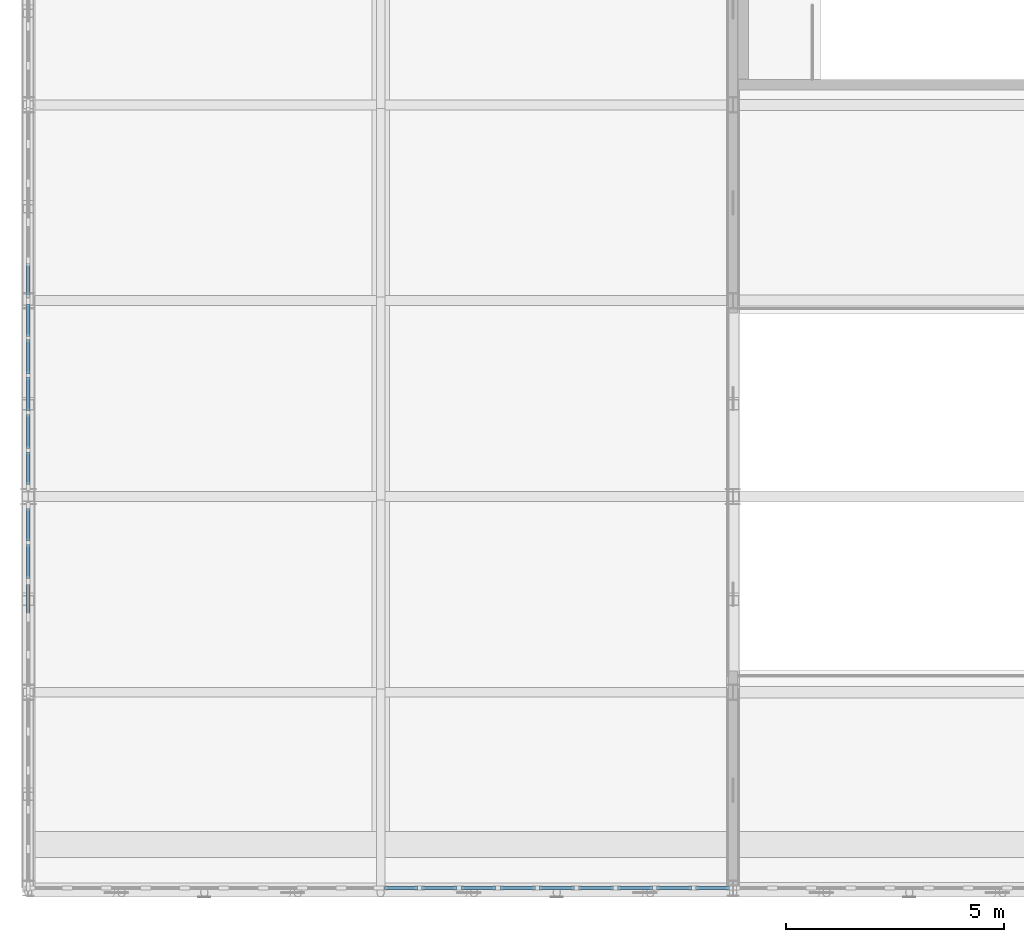
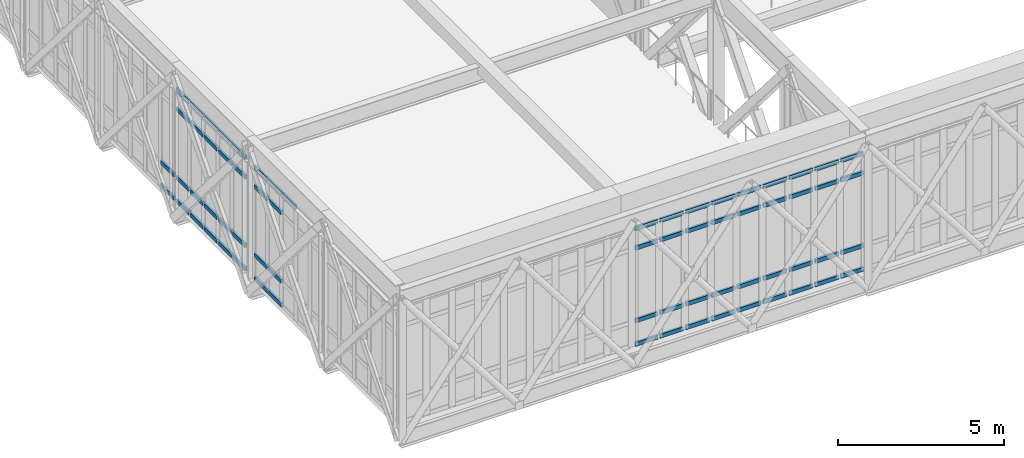
# One storey, part 28 of 70: 67 members, 4 elements without a shape of their own.
"""IFC4 building model written with IfcOpenShell, lengths in metres."""

import ifcopenshell
import ifcopenshell.guid

model = None  # the IFC model being written
_history = None  # IfcOwnerHistory: only IFC2X3 demands one
_inside = {}  # id of a spatial element -> (the spatial element, [elements in it])
_under = {}  # id of a project, library or spatial element -> (it, [spatial elements below it])
_declared = {}  # id of a project -> (the project, [libraries it declares])
_typed = {}  # id of a type object -> (the type object, [elements of that type])
_made_of = {}  # id of a material, layer set ... -> (it, [elements and type objects made of it])


def new_model(schema):
    """Start an empty IFC model of exactly this schema.

    Asked for "IFC4X3", IfcOpenShell would pick the latest addendum, in which some entities
    have other attributes; the version numbers below select the first issue.
    IFC2X3 requires an IfcOwnerHistory on every rooted entity: one is made here for all.
    """
    global model, _history
    if schema == "IFC4X3":
        model = ifcopenshell.file(schema_version=(4, 3, 0, 0))
    else:
        model = ifcopenshell.file(schema=schema)
    _inside.clear()
    _under.clear()
    _declared.clear()
    _typed.clear()
    _made_of.clear()
    _history = None
    if model.schema == "IFC2X3":
        org = make("IfcOrganization", Name="unknown")
        user = make(
            "IfcPersonAndOrganization",
            ThePerson=make("IfcPerson", FamilyName="unknown"),
            TheOrganization=org,
        )
        app = make(
            "IfcApplication",
            ApplicationDeveloper=org,
            Version="unknown",
            ApplicationFullName="unknown",
            ApplicationIdentifier="unknown",
        )
        _history = make(
            "IfcOwnerHistory",
            OwningUser=user,
            OwningApplication=app,
            ChangeAction="ADDED",
            CreationDate=0,
        )
    return model


def make(cls, **values):
    """One entity of the class cls with the attributes given. An attribute that is None is left unset."""
    return model.create_entity(
        cls, **{name: value for name, value in values.items() if value is not None}
    )


def rooted(cls, **values):
    """An entity with a GlobalId (a new one), such as an element, a storey or a relation."""
    return make(cls, GlobalId=ifcopenshell.guid.new(), OwnerHistory=_history, **values)


def si_unit(unit_type, name, prefix=None):
    """IfcSIUnit, for example si_unit("LENGTHUNIT", "METRE", prefix="MILLI")."""
    return make("IfcSIUnit", UnitType=unit_type, Prefix=prefix, Name=name)


def assignment(units):
    """IfcUnitAssignment: the units of a project."""
    return None if units is None else make("IfcUnitAssignment", Units=units)


def point(xyz):
    """IfcCartesianPoint."""
    return None if xyz is None else make("IfcCartesianPoint", Coordinates=xyz)


def direction(xyz):
    """IfcDirection."""
    return None if xyz is None else make("IfcDirection", DirectionRatios=xyz)


def frame(location, z_axis=None, x_axis=None):
    """IfcAxis2Placement3D, a coordinate frame: its origin and axes. An axis left out is left unset."""
    return make(
        "IfcAxis2Placement3D",
        Location=point(location),
        Axis=direction(z_axis),
        RefDirection=direction(x_axis),
    )


def frame_2d(location, x_axis=None):
    """IfcAxis2Placement2D, a coordinate frame in the plane: its origin and x axis."""
    return make(
        "IfcAxis2Placement2D", Location=point(location), RefDirection=direction(x_axis)
    )


def origin():
    """The frame at (0, 0, 0) with its axes left unset."""
    return frame((0.0, 0.0, 0.0))


def origin_2d():
    """The frame at (0, 0) in the plane with its x axis left unset."""
    return frame_2d((0.0, 0.0))


def place(relative_to, where):
    """IfcLocalPlacement: puts the frame where relative to a parent placement (None: the world)."""
    return make(
        "IfcLocalPlacement", PlacementRelTo=relative_to, RelativePlacement=where
    )


def context(
    kind, dimensions, precision=None, world=None, true_north=None, identifier=None
):
    """IfcGeometricRepresentationContext, for example the 3D "Model" context."""
    return make(
        "IfcGeometricRepresentationContext",
        ContextIdentifier=identifier,
        ContextType=kind,
        CoordinateSpaceDimension=dimensions,
        Precision=precision,
        WorldCoordinateSystem=world,
        TrueNorth=true_north,
    )


def subcontext(parent, identifier, kind, view, scale=None):
    """IfcGeometricRepresentationSubContext, for example "Body" below "Model"."""
    return make(
        "IfcGeometricRepresentationSubContext",
        ContextIdentifier=identifier,
        ContextType=kind,
        ParentContext=parent,
        TargetScale=scale,
        TargetView=view,
    )


def project(units=None, contexts=None):
    """IfcProject with its units and contexts."""
    return rooted(
        "IfcProject",
        Name="project",
        RepresentationContexts=contexts,
        UnitsInContext=assignment(units),
    )


def spatial(cls, under=None, at=None, **own):
    """A site, building, storey or space (cls), placed at a placement, below another one or the project."""
    s = rooted(cls, ObjectPlacement=at, **own)
    if under is not None:
        _under.setdefault(under.id(), (under, []))[1].append(s)
    return s


def profile(cls, at=None, kind="AREA", **sizes):
    """A parametric profile (cls). Its sizes go by their IFC names, for example OverallWidth=200.0."""
    return make(cls, ProfileType=kind, Position=at, **sizes)


def rectangle(**sizes):
    """IfcRectangleProfileDef."""
    return profile("IfcRectangleProfileDef", **sizes)


def extrude(swept, where, along, depth):
    """IfcExtrudedAreaSolid: the profile swept, set in the frame where, extruded along a direction by depth."""
    return make(
        "IfcExtrudedAreaSolid",
        SweptArea=swept,
        Position=where,
        ExtrudedDirection=direction(along),
        Depth=depth,
    )


def shape(context_of_items, identifier, shape_type, items):
    """IfcShapeRepresentation: the items that make up one representation, for example the "Body"."""
    return make(
        "IfcShapeRepresentation",
        ContextOfItems=context_of_items,
        RepresentationIdentifier=identifier,
        RepresentationType=shape_type,
        Items=items,
    )


def material(Name=None, Category=None):
    """IfcMaterial."""
    return make("IfcMaterial", Name=Name, Category=Category)


def material_profile(
    of_material, cross_section, Name=None, Category=None, Priority=None
):
    """IfcMaterialProfile: a cross section and its material."""
    return make(
        "IfcMaterialProfile",
        Name=Name,
        Material=of_material,
        Profile=cross_section,
        Priority=Priority,
        Category=Category,
    )


def profile_set(profiles, Name=None, composite=None):
    """IfcMaterialProfileSet."""
    return make(
        "IfcMaterialProfileSet",
        Name=Name,
        MaterialProfiles=profiles,
        CompositeProfile=composite,
    )


def made_of(thing, what):
    """Note that an element or type object is made of a material, layer set ...; save() writes the relation."""
    if what is not None:
        _made_of.setdefault(what.id(), (what, []))[1].append(thing)
    return thing


def type_object(cls, material=None, **own):
    """A type object (cls), such as IfcWallType, which elements share."""
    return made_of(rooted(cls, **own), material)


def element(
    cls,
    number,
    at=None,
    inside=None,
    cuts=None,
    type_object=None,
    material=None,
    context=None,
    identifier="Body",
    shape_type=None,
    held_by="IfcProductDefinitionShape",
    body=None,
    shapes=None,
    **own,
):
    """One element of the class cls, such as IfcWall. Its Tag is "e" and its number.

    at: its placement. inside: the storey or other place that contains it. cuts: it is an
    opening in that element (IfcRelVoidsElement). A single representation is given by context,
    identifier, shape_type and body (its items); several are given by shapes. held_by: the class
    of the entity that holds the representations. save() writes the other relations.
    """
    e = rooted(cls, Tag="e%d" % number, ObjectPlacement=at, **own)
    if body is not None:
        shapes = [shape(context, identifier, shape_type, body)]
    if shapes is not None:
        e.Representation = make(held_by, Representations=shapes)
    if inside is not None:
        _inside.setdefault(inside.id(), (inside, []))[1].append(e)
    if cuts is not None:
        rooted(
            "IfcRelVoidsElement", RelatingBuildingElement=cuts, RelatedOpeningElement=e
        )
    if type_object is not None:
        _typed.setdefault(type_object.id(), (type_object, []))[1].append(e)
    return made_of(e, material)


def aggregate(whole, parts):
    """IfcRelAggregates: a whole, such as a stair, and the parts it consists of."""
    return rooted("IfcRelAggregates", RelatingObject=whole, RelatedObjects=parts)


def save(model, path):
    """Write the relations noted so far, then the file.

    IfcRelAggregates (storeys below a building ...), IfcRelContainedInSpatialStructure (elements
    in a storey), IfcRelDefinesByType, IfcRelAssociatesMaterial and IfcRelDeclares: one each for
    every whole, place, type object, material and project.
    """
    for whole, parts in _under.values():
        aggregate(whole, parts)
    for where, things in _inside.values():
        rooted(
            "IfcRelContainedInSpatialStructure",
            RelatedElements=things,
            RelatingStructure=where,
        )
    for kind, things in _typed.values():
        rooted("IfcRelDefinesByType", RelatedObjects=things, RelatingType=kind)
    for what, things in _made_of.values():
        rooted("IfcRelAssociatesMaterial", RelatedObjects=things, RelatingMaterial=what)
    for by, libraries in _declared.values():
        rooted("IfcRelDeclares", RelatingContext=by, RelatedDefinitions=libraries)
    model.write(path)


model = new_model("IFC4")

# Units and contexts
model_context = context("Model", 3, precision=1e-05, world=origin(), true_north=direction((0.0, 1.0)))
body_context = subcontext(model_context, "Body", "Model", "MODEL_VIEW")
ifc_project = project(units=[si_unit("LENGTHUNIT", "METRE"), si_unit("AREAUNIT", "SQUARE_METRE"), si_unit("VOLUMEUNIT", "CUBIC_METRE"), si_unit("PLANEANGLEUNIT", "RADIAN"), si_unit("MASSUNIT", "GRAM", prefix="KILO")], contexts=[model_context])

# Site, building, storey
site_placement = place(None, origin())
site = spatial("IfcSite", under=ifc_project, at=site_placement, CompositionType="ELEMENT")
building_placement = place(site_placement, origin())
building = spatial("IfcBuilding", under=site, at=building_placement, Name="Tarnveldt Square Police Headquarters", CompositionType="ELEMENT")
storey_placement = place(building_placement, frame((0.0, 0.0, 19.800048828125)))
storey = spatial("IfcBuildingStorey", under=building, at=storey_placement, Name="L04", CompositionType="ELEMENT", Elevation=19.800048828125)

# Curtain wall, members
ifc_material_1 = material(Name="UL 752 Level III laminated ballistic vision glass", Category="glass")
curtain_wall_type_1 = type_object("IfcCurtainWallType", Name="CW-BL-810x433", PredefinedType="USERDEFINED", material=ifc_material_1)
curtain_wall_1_placement = place(storey_placement, origin())
curtain_wall_1 = element("IfcCurtainWall", 1, at=curtain_wall_1_placement, inside=storey, type_object=curtain_wall_type_1, Name="L04 Curtain Wall CW-L04-041", ObjectType="BALLISTIC CURTAIN WALL", PredefinedType="USERDEFINED")
ifc_material_2 = material(Name="Thermally broken anodised aluminium 6063-T6", Category="aluminium")
ifc_material_profile = material_profile(ifc_material_2, rectangle(XDim=0.074951171875, YDim=0.14990234375, at=origin_2d()), Name="CW-T75x150")
ifc_profile_set = profile_set([ifc_material_profile], Name="Thermally broken anodised aluminium 6063-T6")
member_type = type_object("IfcMemberType", Name="CWT-75x150", PredefinedType="USERDEFINED", material=ifc_profile_set)
member_1_placement = place(storey_placement, frame((16.284912109375, 7.0, 0.037353515625), z_axis=(1.0, 0.0, 0.0), x_axis=(0.0, 1.0, 0.0)))
member_1 = element("IfcMember", 2, at=member_1_placement, type_object=member_type, Name="CW-BL17 transom 1.1", ObjectType="TRANSOM", PredefinedType="USERDEFINED", context=body_context, shape_type="SweptSolid", body=[
    extrude(rectangle(XDim=0.074951171875, YDim=0.14990234375, at=origin_2d()), origin(), (0.0, 0.0, 1.0), 0.772705078125),
])
member_2_placement = place(storey_placement, frame((16.284912109375, 7.0, 0.89990234375), z_axis=(1.0, 0.0, 0.0), x_axis=(0.0, 1.0, 0.0)))
member_2 = element("IfcMember", 3, at=member_2_placement, type_object=member_type, Name="CW-BL17 transom 1.2", ObjectType="TRANSOM", PredefinedType="USERDEFINED", context=body_context, shape_type="SweptSolid", body=[
    extrude(rectangle(XDim=0.074951171875, YDim=0.14990234375, at=origin_2d()), origin(), (0.0, 0.0, 1.0), 0.772705078125),
])
member_3_placement = place(storey_placement, frame((16.284912109375, 7.0, 3.576416015625), z_axis=(1.0, 0.0, 0.0), x_axis=(0.0, 1.0, 0.0)))
member_3 = element("IfcMember", 4, at=member_3_placement, type_object=member_type, Name="CW-BL17 transom 1.3", ObjectType="TRANSOM", PredefinedType="USERDEFINED", context=body_context, shape_type="SweptSolid", body=[
    extrude(rectangle(XDim=0.074951171875, YDim=0.14990234375, at=origin_2d()), origin(), (0.0, 0.0, 1.0), 0.772705078125),
])
member_4_placement = place(storey_placement, frame((16.284912109375, 7.0, 4.2890625), z_axis=(1.0, 0.0, 0.0), x_axis=(0.0, 1.0, 0.0)))
member_4 = element("IfcMember", 5, at=member_4_placement, type_object=member_type, Name="CW-BL17 transom 1.4", ObjectType="TRANSOM", PredefinedType="USERDEFINED", context=body_context, shape_type="SweptSolid", body=[
    extrude(rectangle(XDim=0.074951171875, YDim=0.14990234375, at=origin_2d()), origin(), (0.0, 0.0, 1.0), 0.772705078125),
])
member_5_placement = place(storey_placement, frame((17.142578125, 7.0, 0.037353515625), z_axis=(1.0, 0.0, 0.0), x_axis=(0.0, 1.0, 0.0)))
member_5 = element("IfcMember", 6, at=member_5_placement, type_object=member_type, Name="CW-BL17 transom 2.1", ObjectType="TRANSOM", PredefinedType="USERDEFINED", context=body_context, shape_type="SweptSolid", body=[
    extrude(rectangle(XDim=0.074951171875, YDim=0.14990234375, at=origin_2d()), origin(), (0.0, 0.0, 1.0), 0.81494140625),
])
member_6_placement = place(storey_placement, frame((17.142578125, 7.0, 0.89990234375), z_axis=(1.0, 0.0, 0.0), x_axis=(0.0, 1.0, 0.0)))
member_6 = element("IfcMember", 7, at=member_6_placement, type_object=member_type, Name="CW-BL17 transom 2.2", ObjectType="TRANSOM", PredefinedType="USERDEFINED", context=body_context, shape_type="SweptSolid", body=[
    extrude(rectangle(XDim=0.074951171875, YDim=0.14990234375, at=origin_2d()), origin(), (0.0, 0.0, 1.0), 0.81494140625),
])
member_7_placement = place(storey_placement, frame((17.142578125, 7.0, 3.576416015625), z_axis=(1.0, 0.0, 0.0), x_axis=(0.0, 1.0, 0.0)))
member_7 = element("IfcMember", 8, at=member_7_placement, type_object=member_type, Name="CW-BL17 transom 2.3", ObjectType="TRANSOM", PredefinedType="USERDEFINED", context=body_context, shape_type="SweptSolid", body=[
    extrude(rectangle(XDim=0.074951171875, YDim=0.14990234375, at=origin_2d()), origin(), (0.0, 0.0, 1.0), 0.81494140625),
])
member_8_placement = place(storey_placement, frame((17.142578125, 7.0, 4.2890625), z_axis=(1.0, 0.0, 0.0), x_axis=(0.0, 1.0, 0.0)))
member_8 = element("IfcMember", 9, at=member_8_placement, type_object=member_type, Name="CW-BL17 transom 2.4", ObjectType="TRANSOM", PredefinedType="USERDEFINED", context=body_context, shape_type="SweptSolid", body=[
    extrude(rectangle(XDim=0.074951171875, YDim=0.14990234375, at=origin_2d()), origin(), (0.0, 0.0, 1.0), 0.81494140625),
])
member_9_placement = place(storey_placement, frame((18.04248046875, 7.0, 0.037353515625), z_axis=(1.0, 0.0, 0.0), x_axis=(0.0, 1.0, 0.0)))
member_9 = element("IfcMember", 10, at=member_9_placement, type_object=member_type, Name="CW-BL17 transom 3.1", ObjectType="TRANSOM", PredefinedType="USERDEFINED", context=body_context, shape_type="SweptSolid", body=[
    extrude(rectangle(XDim=0.074951171875, YDim=0.14990234375, at=origin_2d()), origin(), (0.0, 0.0, 1.0), 0.81494140625),
])
member_10_placement = place(storey_placement, frame((18.04248046875, 7.0, 0.89990234375), z_axis=(1.0, 0.0, 0.0), x_axis=(0.0, 1.0, 0.0)))
member_10 = element("IfcMember", 11, at=member_10_placement, type_object=member_type, Name="CW-BL17 transom 3.2", ObjectType="TRANSOM", PredefinedType="USERDEFINED", context=body_context, shape_type="SweptSolid", body=[
    extrude(rectangle(XDim=0.074951171875, YDim=0.14990234375, at=origin_2d()), origin(), (0.0, 0.0, 1.0), 0.81494140625),
])
member_11_placement = place(storey_placement, frame((18.04248046875, 7.0, 3.576416015625), z_axis=(1.0, 0.0, 0.0), x_axis=(0.0, 1.0, 0.0)))
member_11 = element("IfcMember", 12, at=member_11_placement, type_object=member_type, Name="CW-BL17 transom 3.3", ObjectType="TRANSOM", PredefinedType="USERDEFINED", context=body_context, shape_type="SweptSolid", body=[
    extrude(rectangle(XDim=0.074951171875, YDim=0.14990234375, at=origin_2d()), origin(), (0.0, 0.0, 1.0), 0.81494140625),
])
member_12_placement = place(storey_placement, frame((18.04248046875, 7.0, 4.2890625), z_axis=(1.0, 0.0, 0.0), x_axis=(0.0, 1.0, 0.0)))
member_12 = element("IfcMember", 13, at=member_12_placement, type_object=member_type, Name="CW-BL17 transom 3.4", ObjectType="TRANSOM", PredefinedType="USERDEFINED", context=body_context, shape_type="SweptSolid", body=[
    extrude(rectangle(XDim=0.074951171875, YDim=0.14990234375, at=origin_2d()), origin(), (0.0, 0.0, 1.0), 0.81494140625),
])
member_13_placement = place(storey_placement, frame((18.9423828125, 7.0, 0.037353515625), z_axis=(1.0, 0.0, 0.0), x_axis=(0.0, 1.0, 0.0)))
member_13 = element("IfcMember", 14, at=member_13_placement, type_object=member_type, Name="CW-BL17 transom 4.1", ObjectType="TRANSOM", PredefinedType="USERDEFINED", context=body_context, shape_type="SweptSolid", body=[
    extrude(rectangle(XDim=0.074951171875, YDim=0.14990234375, at=origin_2d()), origin(), (0.0, 0.0, 1.0), 0.815185546875),
])
member_14_placement = place(storey_placement, frame((18.9423828125, 7.0, 0.89990234375), z_axis=(1.0, 0.0, 0.0), x_axis=(0.0, 1.0, 0.0)))
member_14 = element("IfcMember", 15, at=member_14_placement, type_object=member_type, Name="CW-BL17 transom 4.2", ObjectType="TRANSOM", PredefinedType="USERDEFINED", context=body_context, shape_type="SweptSolid", body=[
    extrude(rectangle(XDim=0.074951171875, YDim=0.14990234375, at=origin_2d()), origin(), (0.0, 0.0, 1.0), 0.815185546875),
])
member_15_placement = place(storey_placement, frame((18.9423828125, 7.0, 3.576416015625), z_axis=(1.0, 0.0, 0.0), x_axis=(0.0, 1.0, 0.0)))
member_15 = element("IfcMember", 16, at=member_15_placement, type_object=member_type, Name="CW-BL17 transom 4.3", ObjectType="TRANSOM", PredefinedType="USERDEFINED", context=body_context, shape_type="SweptSolid", body=[
    extrude(rectangle(XDim=0.074951171875, YDim=0.14990234375, at=origin_2d()), origin(), (0.0, 0.0, 1.0), 0.815185546875),
])
member_16_placement = place(storey_placement, frame((18.9423828125, 7.0, 4.2890625), z_axis=(1.0, 0.0, 0.0), x_axis=(0.0, 1.0, 0.0)))
member_16 = element("IfcMember", 17, at=member_16_placement, type_object=member_type, Name="CW-BL17 transom 4.4", ObjectType="TRANSOM", PredefinedType="USERDEFINED", context=body_context, shape_type="SweptSolid", body=[
    extrude(rectangle(XDim=0.074951171875, YDim=0.14990234375, at=origin_2d()), origin(), (0.0, 0.0, 1.0), 0.815185546875),
])
member_17_placement = place(storey_placement, frame((19.842529296875, 7.0, 0.037353515625), z_axis=(1.0, 0.0, 0.0), x_axis=(0.0, 1.0, 0.0)))
member_17 = element("IfcMember", 18, at=member_17_placement, type_object=member_type, Name="CW-BL17 transom 5.1", ObjectType="TRANSOM", PredefinedType="USERDEFINED", context=body_context, shape_type="SweptSolid", body=[
    extrude(rectangle(XDim=0.074951171875, YDim=0.14990234375, at=origin_2d()), origin(), (0.0, 0.0, 1.0), 0.81494140625),
])
member_18_placement = place(storey_placement, frame((19.842529296875, 7.0, 0.89990234375), z_axis=(1.0, 0.0, 0.0), x_axis=(0.0, 1.0, 0.0)))
member_18 = element("IfcMember", 19, at=member_18_placement, type_object=member_type, Name="CW-BL17 transom 5.2", ObjectType="TRANSOM", PredefinedType="USERDEFINED", context=body_context, shape_type="SweptSolid", body=[
    extrude(rectangle(XDim=0.074951171875, YDim=0.14990234375, at=origin_2d()), origin(), (0.0, 0.0, 1.0), 0.81494140625),
])
member_19_placement = place(storey_placement, frame((19.842529296875, 7.0, 3.576416015625), z_axis=(1.0, 0.0, 0.0), x_axis=(0.0, 1.0, 0.0)))
member_19 = element("IfcMember", 20, at=member_19_placement, type_object=member_type, Name="CW-BL17 transom 5.3", ObjectType="TRANSOM", PredefinedType="USERDEFINED", context=body_context, shape_type="SweptSolid", body=[
    extrude(rectangle(XDim=0.074951171875, YDim=0.14990234375, at=origin_2d()), origin(), (0.0, 0.0, 1.0), 0.81494140625),
])
member_20_placement = place(storey_placement, frame((19.842529296875, 7.0, 4.2890625), z_axis=(1.0, 0.0, 0.0), x_axis=(0.0, 1.0, 0.0)))
member_20 = element("IfcMember", 21, at=member_20_placement, type_object=member_type, Name="CW-BL17 transom 5.4", ObjectType="TRANSOM", PredefinedType="USERDEFINED", context=body_context, shape_type="SweptSolid", body=[
    extrude(rectangle(XDim=0.074951171875, YDim=0.14990234375, at=origin_2d()), origin(), (0.0, 0.0, 1.0), 0.81494140625),
])
member_21_placement = place(storey_placement, frame((20.742431640625, 7.0, 0.037353515625), z_axis=(1.0, 0.0, 0.0), x_axis=(0.0, 1.0, 0.0)))
member_21 = element("IfcMember", 22, at=member_21_placement, type_object=member_type, Name="CW-BL17 transom 6.1", ObjectType="TRANSOM", PredefinedType="USERDEFINED", context=body_context, shape_type="SweptSolid", body=[
    extrude(rectangle(XDim=0.074951171875, YDim=0.14990234375, at=origin_2d()), origin(), (0.0, 0.0, 1.0), 0.815185546875),
])
member_22_placement = place(storey_placement, frame((20.742431640625, 7.0, 0.89990234375), z_axis=(1.0, 0.0, 0.0), x_axis=(0.0, 1.0, 0.0)))
member_22 = element("IfcMember", 23, at=member_22_placement, type_object=member_type, Name="CW-BL17 transom 6.2", ObjectType="TRANSOM", PredefinedType="USERDEFINED", context=body_context, shape_type="SweptSolid", body=[
    extrude(rectangle(XDim=0.074951171875, YDim=0.14990234375, at=origin_2d()), origin(), (0.0, 0.0, 1.0), 0.815185546875),
])
member_23_placement = place(storey_placement, frame((20.742431640625, 7.0, 3.576416015625), z_axis=(1.0, 0.0, 0.0), x_axis=(0.0, 1.0, 0.0)))
member_23 = element("IfcMember", 24, at=member_23_placement, type_object=member_type, Name="CW-BL17 transom 6.3", ObjectType="TRANSOM", PredefinedType="USERDEFINED", context=body_context, shape_type="SweptSolid", body=[
    extrude(rectangle(XDim=0.074951171875, YDim=0.14990234375, at=origin_2d()), origin(), (0.0, 0.0, 1.0), 0.815185546875),
])
member_24_placement = place(storey_placement, frame((20.742431640625, 7.0, 4.2890625), z_axis=(1.0, 0.0, 0.0), x_axis=(0.0, 1.0, 0.0)))
member_24 = element("IfcMember", 25, at=member_24_placement, type_object=member_type, Name="CW-BL17 transom 6.4", ObjectType="TRANSOM", PredefinedType="USERDEFINED", context=body_context, shape_type="SweptSolid", body=[
    extrude(rectangle(XDim=0.074951171875, YDim=0.14990234375, at=origin_2d()), origin(), (0.0, 0.0, 1.0), 0.815185546875),
])
member_25_placement = place(storey_placement, frame((21.642578125, 7.0, 0.037353515625), z_axis=(1.0, 0.0, 0.0), x_axis=(0.0, 1.0, 0.0)))
member_25 = element("IfcMember", 26, at=member_25_placement, type_object=member_type, Name="CW-BL17 transom 7.1", ObjectType="TRANSOM", PredefinedType="USERDEFINED", context=body_context, shape_type="SweptSolid", body=[
    extrude(rectangle(XDim=0.074951171875, YDim=0.14990234375, at=origin_2d()), origin(), (0.0, 0.0, 1.0), 0.81494140625),
])
member_26_placement = place(storey_placement, frame((21.642578125, 7.0, 0.89990234375), z_axis=(1.0, 0.0, 0.0), x_axis=(0.0, 1.0, 0.0)))
member_26 = element("IfcMember", 27, at=member_26_placement, type_object=member_type, Name="CW-BL17 transom 7.2", ObjectType="TRANSOM", PredefinedType="USERDEFINED", context=body_context, shape_type="SweptSolid", body=[
    extrude(rectangle(XDim=0.074951171875, YDim=0.14990234375, at=origin_2d()), origin(), (0.0, 0.0, 1.0), 0.81494140625),
])
member_27_placement = place(storey_placement, frame((21.642578125, 7.0, 3.576416015625), z_axis=(1.0, 0.0, 0.0), x_axis=(0.0, 1.0, 0.0)))
member_27 = element("IfcMember", 28, at=member_27_placement, type_object=member_type, Name="CW-BL17 transom 7.3", ObjectType="TRANSOM", PredefinedType="USERDEFINED", context=body_context, shape_type="SweptSolid", body=[
    extrude(rectangle(XDim=0.074951171875, YDim=0.14990234375, at=origin_2d()), origin(), (0.0, 0.0, 1.0), 0.81494140625),
])
member_28_placement = place(storey_placement, frame((21.642578125, 7.0, 4.2890625), z_axis=(1.0, 0.0, 0.0), x_axis=(0.0, 1.0, 0.0)))
member_28 = element("IfcMember", 29, at=member_28_placement, type_object=member_type, Name="CW-BL17 transom 7.4", ObjectType="TRANSOM", PredefinedType="USERDEFINED", context=body_context, shape_type="SweptSolid", body=[
    extrude(rectangle(XDim=0.074951171875, YDim=0.14990234375, at=origin_2d()), origin(), (0.0, 0.0, 1.0), 0.81494140625),
])
member_29_placement = place(storey_placement, frame((22.54248046875, 7.0, 0.037353515625), z_axis=(1.0, 0.0, 0.0), x_axis=(0.0, 1.0, 0.0)))
member_29 = element("IfcMember", 30, at=member_29_placement, type_object=member_type, Name="CW-BL17 transom 8.1", ObjectType="TRANSOM", PredefinedType="USERDEFINED", context=body_context, shape_type="SweptSolid", body=[
    extrude(rectangle(XDim=0.074951171875, YDim=0.14990234375, at=origin_2d()), origin(), (0.0, 0.0, 1.0), 0.81494140625),
])
member_30_placement = place(storey_placement, frame((22.54248046875, 7.0, 0.89990234375), z_axis=(1.0, 0.0, 0.0), x_axis=(0.0, 1.0, 0.0)))
member_30 = element("IfcMember", 31, at=member_30_placement, type_object=member_type, Name="CW-BL17 transom 8.2", ObjectType="TRANSOM", PredefinedType="USERDEFINED", context=body_context, shape_type="SweptSolid", body=[
    extrude(rectangle(XDim=0.074951171875, YDim=0.14990234375, at=origin_2d()), origin(), (0.0, 0.0, 1.0), 0.81494140625),
])
member_31_placement = place(storey_placement, frame((22.54248046875, 7.0, 3.576416015625), z_axis=(1.0, 0.0, 0.0), x_axis=(0.0, 1.0, 0.0)))
member_31 = element("IfcMember", 32, at=member_31_placement, type_object=member_type, Name="CW-BL17 transom 8.3", ObjectType="TRANSOM", PredefinedType="USERDEFINED", context=body_context, shape_type="SweptSolid", body=[
    extrude(rectangle(XDim=0.074951171875, YDim=0.14990234375, at=origin_2d()), origin(), (0.0, 0.0, 1.0), 0.81494140625),
])
member_32_placement = place(storey_placement, frame((22.54248046875, 7.0, 4.2890625), z_axis=(1.0, 0.0, 0.0), x_axis=(0.0, 1.0, 0.0)))
member_32 = element("IfcMember", 33, at=member_32_placement, type_object=member_type, Name="CW-BL17 transom 8.4", ObjectType="TRANSOM", PredefinedType="USERDEFINED", context=body_context, shape_type="SweptSolid", body=[
    extrude(rectangle(XDim=0.074951171875, YDim=0.14990234375, at=origin_2d()), origin(), (0.0, 0.0, 1.0), 0.81494140625),
])
member_33_placement = place(storey_placement, frame((23.4423828125, 7.0, 0.037353515625), z_axis=(1.0, 0.0, 0.0), x_axis=(0.0, 1.0, 0.0)))
member_33 = element("IfcMember", 34, at=member_33_placement, type_object=member_type, Name="CW-BL17 transom 9.1", ObjectType="TRANSOM", PredefinedType="USERDEFINED", context=body_context, shape_type="SweptSolid", body=[
    extrude(rectangle(XDim=0.074951171875, YDim=0.14990234375, at=origin_2d()), origin(), (0.0, 0.0, 1.0), 0.772705078125),
])
member_34_placement = place(storey_placement, frame((23.4423828125, 7.0, 0.89990234375), z_axis=(1.0, 0.0, 0.0), x_axis=(0.0, 1.0, 0.0)))
member_34 = element("IfcMember", 35, at=member_34_placement, type_object=member_type, Name="CW-BL17 transom 9.2", ObjectType="TRANSOM", PredefinedType="USERDEFINED", context=body_context, shape_type="SweptSolid", body=[
    extrude(rectangle(XDim=0.074951171875, YDim=0.14990234375, at=origin_2d()), origin(), (0.0, 0.0, 1.0), 0.772705078125),
])
member_35_placement = place(storey_placement, frame((23.4423828125, 7.0, 3.576416015625), z_axis=(1.0, 0.0, 0.0), x_axis=(0.0, 1.0, 0.0)))
member_35 = element("IfcMember", 36, at=member_35_placement, type_object=member_type, Name="CW-BL17 transom 9.3", ObjectType="TRANSOM", PredefinedType="USERDEFINED", context=body_context, shape_type="SweptSolid", body=[
    extrude(rectangle(XDim=0.074951171875, YDim=0.14990234375, at=origin_2d()), origin(), (0.0, 0.0, 1.0), 0.772705078125),
])
member_36_placement = place(storey_placement, frame((23.4423828125, 7.0, 4.2890625), z_axis=(1.0, 0.0, 0.0), x_axis=(0.0, 1.0, 0.0)))
member_36 = element("IfcMember", 37, at=member_36_placement, type_object=member_type, Name="CW-BL17 transom 9.4", ObjectType="TRANSOM", PredefinedType="USERDEFINED", context=body_context, shape_type="SweptSolid", body=[
    extrude(rectangle(XDim=0.074951171875, YDim=0.14990234375, at=origin_2d()), origin(), (0.0, 0.0, 1.0), 0.772705078125),
])
aggregate(curtain_wall_1, [member_1, member_2, member_3, member_4, member_5, member_6, member_7, member_8, member_9, member_10, member_11, member_12, member_13, member_14, member_15, member_16, member_17, member_18, member_19, member_20, member_21, member_22, member_23, member_24, member_25, member_26, member_27, member_28, member_29, member_30, member_31, member_32, member_33, member_34, member_35, member_36])

ifc_material_3 = material(Name="Triple-glazed low-e laminated vision glass", Category="glass")
curtain_wall_type_2 = type_object("IfcCurtainWallType", Name="CW-LT-430x417", PredefinedType="USERDEFINED", material=ifc_material_3)
curtain_wall_2_placement = place(storey_placement, origin())
curtain_wall_2 = element("IfcCurtainWall", 38, at=curtain_wall_2_placement, inside=storey, type_object=curtain_wall_type_2, Name="L04 Curtain Wall CW-L04-051", ObjectType="GLAZED CURTAIN WALL", PredefinedType="USERDEFINED")
member_37_placement = place(storey_placement, frame((8.10009765625, 13.256591796875, 4.135498046875), z_axis=(0.0, 1.0, 0.0), x_axis=(-1.0, 0.0, 0.0)))
member_37 = element("IfcMember", 39, at=member_37_placement, type_object=member_type, Name="CW-LT21 transom 3.4", ObjectType="TRANSOM", PredefinedType="USERDEFINED", context=body_context, shape_type="SweptSolid", body=[
    extrude(rectangle(XDim=0.074951171875, YDim=0.14990234375, at=origin_2d()), origin(), (0.0, 0.0, 1.0), 0.78466796875),
])
member_38_placement = place(storey_placement, frame((8.10009765625, 14.1162109375, 0.037353515625), z_axis=(0.0, 1.0, 0.0), x_axis=(-1.0, 0.0, 0.0)))
member_38 = element("IfcMember", 40, at=member_38_placement, type_object=member_type, Name="CW-LT21 transom 4.1", ObjectType="TRANSOM", PredefinedType="USERDEFINED", context=body_context, shape_type="SweptSolid", body=[
    extrude(rectangle(XDim=0.074951171875, YDim=0.14990234375, at=origin_2d()), origin(), (0.0, 0.0, 1.0), 0.78466796875),
])
member_39_placement = place(storey_placement, frame((8.10009765625, 14.1162109375, 0.89990234375), z_axis=(0.0, 1.0, 0.0), x_axis=(-1.0, 0.0, 0.0)))
member_39 = element("IfcMember", 41, at=member_39_placement, type_object=member_type, Name="CW-LT21 transom 4.2", ObjectType="TRANSOM", PredefinedType="USERDEFINED", context=body_context, shape_type="SweptSolid", body=[
    extrude(rectangle(XDim=0.074951171875, YDim=0.14990234375, at=origin_2d()), origin(), (0.0, 0.0, 1.0), 0.78466796875),
])
member_40_placement = place(storey_placement, frame((8.10009765625, 14.1162109375, 3.4228515625), z_axis=(0.0, 1.0, 0.0), x_axis=(-1.0, 0.0, 0.0)))
member_40 = element("IfcMember", 42, at=member_40_placement, type_object=member_type, Name="CW-LT21 transom 4.3", ObjectType="TRANSOM", PredefinedType="USERDEFINED", context=body_context, shape_type="SweptSolid", body=[
    extrude(rectangle(XDim=0.074951171875, YDim=0.14990234375, at=origin_2d()), origin(), (0.0, 0.0, 1.0), 0.78466796875),
])
member_41_placement = place(storey_placement, frame((8.10009765625, 14.1162109375, 4.135498046875), z_axis=(0.0, 1.0, 0.0), x_axis=(-1.0, 0.0, 0.0)))
member_41 = element("IfcMember", 43, at=member_41_placement, type_object=member_type, Name="CW-LT21 transom 4.4", ObjectType="TRANSOM", PredefinedType="USERDEFINED", context=body_context, shape_type="SweptSolid", body=[
    extrude(rectangle(XDim=0.074951171875, YDim=0.14990234375, at=origin_2d()), origin(), (0.0, 0.0, 1.0), 0.78466796875),
])
member_42_placement = place(storey_placement, frame((8.10009765625, 14.975830078125, 0.037353515625), z_axis=(0.0, 1.0, 0.0), x_axis=(-1.0, 0.0, 0.0)))
member_42 = element("IfcMember", 44, at=member_42_placement, type_object=member_type, Name="CW-LT21 transom 5.1", ObjectType="TRANSOM", PredefinedType="USERDEFINED", context=body_context, shape_type="SweptSolid", body=[
    extrude(rectangle(XDim=0.074951171875, YDim=0.14990234375, at=origin_2d()), origin(), (0.0, 0.0, 1.0), 0.7470703125),
])
member_43_placement = place(storey_placement, frame((8.10009765625, 14.975830078125, 0.89990234375), z_axis=(0.0, 1.0, 0.0), x_axis=(-1.0, 0.0, 0.0)))
member_43 = element("IfcMember", 45, at=member_43_placement, type_object=member_type, Name="CW-LT21 transom 5.2", ObjectType="TRANSOM", PredefinedType="USERDEFINED", context=body_context, shape_type="SweptSolid", body=[
    extrude(rectangle(XDim=0.074951171875, YDim=0.14990234375, at=origin_2d()), origin(), (0.0, 0.0, 1.0), 0.7470703125),
])
member_44_placement = place(storey_placement, frame((8.10009765625, 14.975830078125, 3.4228515625), z_axis=(0.0, 1.0, 0.0), x_axis=(-1.0, 0.0, 0.0)))
member_44 = element("IfcMember", 46, at=member_44_placement, type_object=member_type, Name="CW-LT21 transom 5.3", ObjectType="TRANSOM", PredefinedType="USERDEFINED", context=body_context, shape_type="SweptSolid", body=[
    extrude(rectangle(XDim=0.074951171875, YDim=0.14990234375, at=origin_2d()), origin(), (0.0, 0.0, 1.0), 0.7470703125),
])
member_45_placement = place(storey_placement, frame((8.10009765625, 14.975830078125, 4.135498046875), z_axis=(0.0, 1.0, 0.0), x_axis=(-1.0, 0.0, 0.0)))
member_45 = element("IfcMember", 47, at=member_45_placement, type_object=member_type, Name="CW-LT21 transom 5.4", ObjectType="TRANSOM", PredefinedType="USERDEFINED", context=body_context, shape_type="SweptSolid", body=[
    extrude(rectangle(XDim=0.074951171875, YDim=0.14990234375, at=origin_2d()), origin(), (0.0, 0.0, 1.0), 0.7470703125),
])
aggregate(curtain_wall_2, [member_37, member_38, member_39, member_40, member_41, member_42, member_43, member_44, member_45])

curtain_wall_3_placement = place(storey_placement, origin())
curtain_wall_3 = element("IfcCurtainWall", 48, at=curtain_wall_3_placement, inside=storey, type_object=curtain_wall_type_2, Name="L04 Curtain Wall CW-L04-052", ObjectType="GLAZED CURTAIN WALL", PredefinedType="USERDEFINED")
member_46_placement = place(storey_placement, frame((8.10009765625, 16.277099609375, 0.037353515625), z_axis=(0.0, 1.0, 0.0), x_axis=(-1.0, 0.0, 0.0)))
member_46 = element("IfcMember", 49, at=member_46_placement, type_object=member_type, Name="CW-LT21 transom 1.1", ObjectType="TRANSOM", PredefinedType="USERDEFINED", context=body_context, shape_type="SweptSolid", body=[
    extrude(rectangle(XDim=0.074951171875, YDim=0.14990234375, at=origin_2d()), origin(), (0.0, 0.0, 1.0), 0.7470703125),
])
member_47_placement = place(storey_placement, frame((8.10009765625, 16.277099609375, 0.89990234375), z_axis=(0.0, 1.0, 0.0), x_axis=(-1.0, 0.0, 0.0)))
member_47 = element("IfcMember", 50, at=member_47_placement, type_object=member_type, Name="CW-LT21 transom 1.2", ObjectType="TRANSOM", PredefinedType="USERDEFINED", context=body_context, shape_type="SweptSolid", body=[
    extrude(rectangle(XDim=0.074951171875, YDim=0.14990234375, at=origin_2d()), origin(), (0.0, 0.0, 1.0), 0.7470703125),
])
member_48_placement = place(storey_placement, frame((8.10009765625, 16.277099609375, 3.4228515625), z_axis=(0.0, 1.0, 0.0), x_axis=(-1.0, 0.0, 0.0)))
member_48 = element("IfcMember", 51, at=member_48_placement, type_object=member_type, Name="CW-LT21 transom 1.3", ObjectType="TRANSOM", PredefinedType="USERDEFINED", context=body_context, shape_type="SweptSolid", body=[
    extrude(rectangle(XDim=0.074951171875, YDim=0.14990234375, at=origin_2d()), origin(), (0.0, 0.0, 1.0), 0.7470703125),
])
member_49_placement = place(storey_placement, frame((8.10009765625, 16.277099609375, 4.135498046875), z_axis=(0.0, 1.0, 0.0), x_axis=(-1.0, 0.0, 0.0)))
member_49 = element("IfcMember", 52, at=member_49_placement, type_object=member_type, Name="CW-LT21 transom 1.4", ObjectType="TRANSOM", PredefinedType="USERDEFINED", context=body_context, shape_type="SweptSolid", body=[
    extrude(rectangle(XDim=0.074951171875, YDim=0.14990234375, at=origin_2d()), origin(), (0.0, 0.0, 1.0), 0.7470703125),
])
member_50_placement = place(storey_placement, frame((8.10009765625, 17.09912109375, 0.037353515625), z_axis=(0.0, 1.0, 0.0), x_axis=(-1.0, 0.0, 0.0)))
member_50 = element("IfcMember", 53, at=member_50_placement, type_object=member_type, Name="CW-LT21 transom 2.1", ObjectType="TRANSOM", PredefinedType="USERDEFINED", context=body_context, shape_type="SweptSolid", body=[
    extrude(rectangle(XDim=0.074951171875, YDim=0.14990234375, at=origin_2d()), origin(), (0.0, 0.0, 1.0), 0.78466796875),
])
member_51_placement = place(storey_placement, frame((8.10009765625, 17.09912109375, 0.89990234375), z_axis=(0.0, 1.0, 0.0), x_axis=(-1.0, 0.0, 0.0)))
member_51 = element("IfcMember", 54, at=member_51_placement, type_object=member_type, Name="CW-LT21 transom 2.2", ObjectType="TRANSOM", PredefinedType="USERDEFINED", context=body_context, shape_type="SweptSolid", body=[
    extrude(rectangle(XDim=0.074951171875, YDim=0.14990234375, at=origin_2d()), origin(), (0.0, 0.0, 1.0), 0.78466796875),
])
member_52_placement = place(storey_placement, frame((8.10009765625, 17.09912109375, 3.4228515625), z_axis=(0.0, 1.0, 0.0), x_axis=(-1.0, 0.0, 0.0)))
member_52 = element("IfcMember", 55, at=member_52_placement, type_object=member_type, Name="CW-LT21 transom 2.3", ObjectType="TRANSOM", PredefinedType="USERDEFINED", context=body_context, shape_type="SweptSolid", body=[
    extrude(rectangle(XDim=0.074951171875, YDim=0.14990234375, at=origin_2d()), origin(), (0.0, 0.0, 1.0), 0.78466796875),
])
member_53_placement = place(storey_placement, frame((8.10009765625, 17.09912109375, 4.135498046875), z_axis=(0.0, 1.0, 0.0), x_axis=(-1.0, 0.0, 0.0)))
member_53 = element("IfcMember", 56, at=member_53_placement, type_object=member_type, Name="CW-LT21 transom 2.4", ObjectType="TRANSOM", PredefinedType="USERDEFINED", context=body_context, shape_type="SweptSolid", body=[
    extrude(rectangle(XDim=0.074951171875, YDim=0.14990234375, at=origin_2d()), origin(), (0.0, 0.0, 1.0), 0.78466796875),
])
member_54_placement = place(storey_placement, frame((8.10009765625, 17.958740234375, 0.037353515625), z_axis=(0.0, 1.0, 0.0), x_axis=(-1.0, 0.0, 0.0)))
member_54 = element("IfcMember", 57, at=member_54_placement, type_object=member_type, Name="CW-LT21 transom 3.1", ObjectType="TRANSOM", PredefinedType="USERDEFINED", context=body_context, shape_type="SweptSolid", body=[
    extrude(rectangle(XDim=0.074951171875, YDim=0.14990234375, at=origin_2d()), origin(), (0.0, 0.0, 1.0), 0.78466796875),
])
member_55_placement = place(storey_placement, frame((8.10009765625, 17.958740234375, 0.89990234375), z_axis=(0.0, 1.0, 0.0), x_axis=(-1.0, 0.0, 0.0)))
member_55 = element("IfcMember", 58, at=member_55_placement, type_object=member_type, Name="CW-LT21 transom 3.2", ObjectType="TRANSOM", PredefinedType="USERDEFINED", context=body_context, shape_type="SweptSolid", body=[
    extrude(rectangle(XDim=0.074951171875, YDim=0.14990234375, at=origin_2d()), origin(), (0.0, 0.0, 1.0), 0.78466796875),
])
member_56_placement = place(storey_placement, frame((8.10009765625, 17.958740234375, 3.4228515625), z_axis=(0.0, 1.0, 0.0), x_axis=(-1.0, 0.0, 0.0)))
member_56 = element("IfcMember", 59, at=member_56_placement, type_object=member_type, Name="CW-LT21 transom 3.3", ObjectType="TRANSOM", PredefinedType="USERDEFINED", context=body_context, shape_type="SweptSolid", body=[
    extrude(rectangle(XDim=0.074951171875, YDim=0.14990234375, at=origin_2d()), origin(), (0.0, 0.0, 1.0), 0.78466796875),
])
member_57_placement = place(storey_placement, frame((8.10009765625, 17.958740234375, 4.135498046875), z_axis=(0.0, 1.0, 0.0), x_axis=(-1.0, 0.0, 0.0)))
member_57 = element("IfcMember", 60, at=member_57_placement, type_object=member_type, Name="CW-LT21 transom 3.4", ObjectType="TRANSOM", PredefinedType="USERDEFINED", context=body_context, shape_type="SweptSolid", body=[
    extrude(rectangle(XDim=0.074951171875, YDim=0.14990234375, at=origin_2d()), origin(), (0.0, 0.0, 1.0), 0.78466796875),
])
member_58_placement = place(storey_placement, frame((8.10009765625, 18.818359375, 0.037353515625), z_axis=(0.0, 1.0, 0.0), x_axis=(-1.0, 0.0, 0.0)))
member_58 = element("IfcMember", 61, at=member_58_placement, type_object=member_type, Name="CW-LT21 transom 4.1", ObjectType="TRANSOM", PredefinedType="USERDEFINED", context=body_context, shape_type="SweptSolid", body=[
    extrude(rectangle(XDim=0.074951171875, YDim=0.14990234375, at=origin_2d()), origin(), (0.0, 0.0, 1.0), 0.784423828125),
])
member_59_placement = place(storey_placement, frame((8.10009765625, 18.818359375, 0.89990234375), z_axis=(0.0, 1.0, 0.0), x_axis=(-1.0, 0.0, 0.0)))
member_59 = element("IfcMember", 62, at=member_59_placement, type_object=member_type, Name="CW-LT21 transom 4.2", ObjectType="TRANSOM", PredefinedType="USERDEFINED", context=body_context, shape_type="SweptSolid", body=[
    extrude(rectangle(XDim=0.074951171875, YDim=0.14990234375, at=origin_2d()), origin(), (0.0, 0.0, 1.0), 0.784423828125),
])
member_60_placement = place(storey_placement, frame((8.10009765625, 18.818359375, 3.4228515625), z_axis=(0.0, 1.0, 0.0), x_axis=(-1.0, 0.0, 0.0)))
member_60 = element("IfcMember", 63, at=member_60_placement, type_object=member_type, Name="CW-LT21 transom 4.3", ObjectType="TRANSOM", PredefinedType="USERDEFINED", context=body_context, shape_type="SweptSolid", body=[
    extrude(rectangle(XDim=0.074951171875, YDim=0.14990234375, at=origin_2d()), origin(), (0.0, 0.0, 1.0), 0.784423828125),
])
member_61_placement = place(storey_placement, frame((8.10009765625, 18.818359375, 4.135498046875), z_axis=(0.0, 1.0, 0.0), x_axis=(-1.0, 0.0, 0.0)))
member_61 = element("IfcMember", 64, at=member_61_placement, type_object=member_type, Name="CW-LT21 transom 4.4", ObjectType="TRANSOM", PredefinedType="USERDEFINED", context=body_context, shape_type="SweptSolid", body=[
    extrude(rectangle(XDim=0.074951171875, YDim=0.14990234375, at=origin_2d()), origin(), (0.0, 0.0, 1.0), 0.784423828125),
])
member_62_placement = place(storey_placement, frame((8.10009765625, 19.677978515625, 0.037353515625), z_axis=(0.0, 1.0, 0.0), x_axis=(-1.0, 0.0, 0.0)))
member_62 = element("IfcMember", 65, at=member_62_placement, type_object=member_type, Name="CW-LT21 transom 5.1", ObjectType="TRANSOM", PredefinedType="USERDEFINED", context=body_context, shape_type="SweptSolid", body=[
    extrude(rectangle(XDim=0.074951171875, YDim=0.14990234375, at=origin_2d()), origin(), (0.0, 0.0, 1.0), 0.7470703125),
])
member_63_placement = place(storey_placement, frame((8.10009765625, 19.677978515625, 0.89990234375), z_axis=(0.0, 1.0, 0.0), x_axis=(-1.0, 0.0, 0.0)))
member_63 = element("IfcMember", 66, at=member_63_placement, type_object=member_type, Name="CW-LT21 transom 5.2", ObjectType="TRANSOM", PredefinedType="USERDEFINED", context=body_context, shape_type="SweptSolid", body=[
    extrude(rectangle(XDim=0.074951171875, YDim=0.14990234375, at=origin_2d()), origin(), (0.0, 0.0, 1.0), 0.7470703125),
])
member_64_placement = place(storey_placement, frame((8.10009765625, 19.677978515625, 3.4228515625), z_axis=(0.0, 1.0, 0.0), x_axis=(-1.0, 0.0, 0.0)))
member_64 = element("IfcMember", 67, at=member_64_placement, type_object=member_type, Name="CW-LT21 transom 5.3", ObjectType="TRANSOM", PredefinedType="USERDEFINED", context=body_context, shape_type="SweptSolid", body=[
    extrude(rectangle(XDim=0.074951171875, YDim=0.14990234375, at=origin_2d()), origin(), (0.0, 0.0, 1.0), 0.7470703125),
])
member_65_placement = place(storey_placement, frame((8.10009765625, 19.677978515625, 4.135498046875), z_axis=(0.0, 1.0, 0.0), x_axis=(-1.0, 0.0, 0.0)))
member_65 = element("IfcMember", 68, at=member_65_placement, type_object=member_type, Name="CW-LT21 transom 5.4", ObjectType="TRANSOM", PredefinedType="USERDEFINED", context=body_context, shape_type="SweptSolid", body=[
    extrude(rectangle(XDim=0.074951171875, YDim=0.14990234375, at=origin_2d()), origin(), (0.0, 0.0, 1.0), 0.7470703125),
])
aggregate(curtain_wall_3, [member_46, member_47, member_48, member_49, member_50, member_51, member_52, member_53, member_54, member_55, member_56, member_57, member_58, member_59, member_60, member_61, member_62, member_63, member_64, member_65])

curtain_wall_type_3 = type_object("IfcCurtainWallType", Name="CW-LT-450x417", PredefinedType="USERDEFINED", material=ifc_material_3)
curtain_wall_4_placement = place(storey_placement, origin())
curtain_wall_4 = element("IfcCurtainWall", 69, at=curtain_wall_4_placement, inside=storey, type_object=curtain_wall_type_3, Name="L04 Curtain Wall CW-L04-053", ObjectType="GLAZED CURTAIN WALL", PredefinedType="USERDEFINED")
member_66_placement = place(storey_placement, frame((8.10009765625, 20.574951171875, 0.037353515625), z_axis=(0.0, 1.0, 0.0), x_axis=(-1.0, 0.0, 0.0)))
member_66 = element("IfcMember", 70, at=member_66_placement, type_object=member_type, Name="CW-LT22 transom 1.1", ObjectType="TRANSOM", PredefinedType="USERDEFINED", context=body_context, shape_type="SweptSolid", body=[
    extrude(rectangle(XDim=0.074951171875, YDim=0.14990234375, at=origin_2d()), origin(), (0.0, 0.0, 1.0), 0.78759765625),
])
member_67_placement = place(storey_placement, frame((8.10009765625, 20.574951171875, 0.89990234375), z_axis=(0.0, 1.0, 0.0), x_axis=(-1.0, 0.0, 0.0)))
member_67 = element("IfcMember", 71, at=member_67_placement, type_object=member_type, Name="CW-LT22 transom 1.2", ObjectType="TRANSOM", PredefinedType="USERDEFINED", context=body_context, shape_type="SweptSolid", body=[
    extrude(rectangle(XDim=0.074951171875, YDim=0.14990234375, at=origin_2d()), origin(), (0.0, 0.0, 1.0), 0.78759765625),
])
aggregate(curtain_wall_4, [member_66, member_67])

save(model, "model.ifc")
